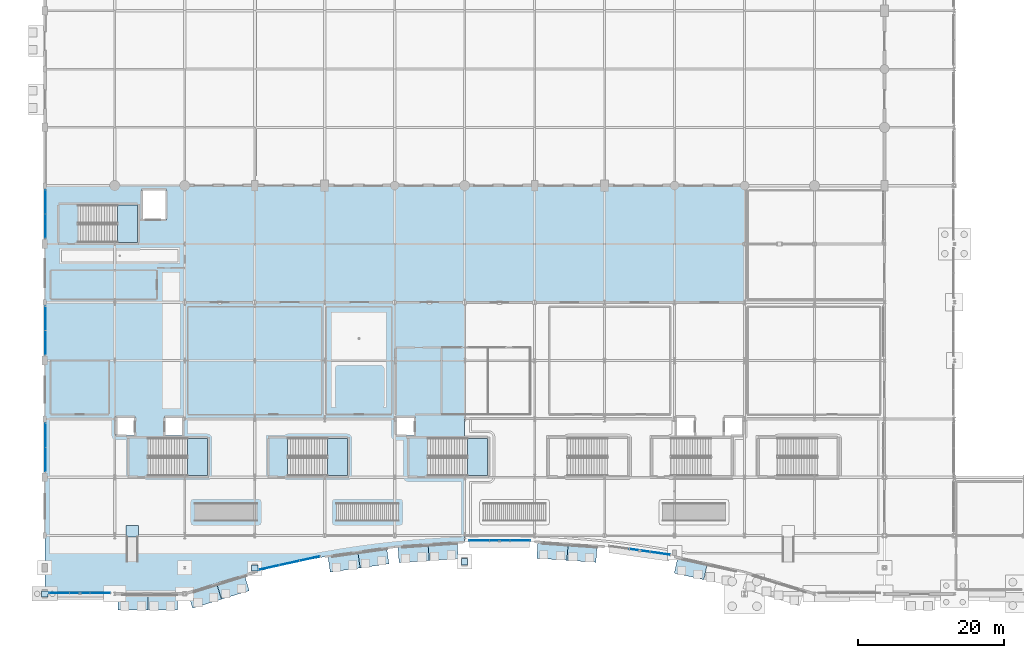
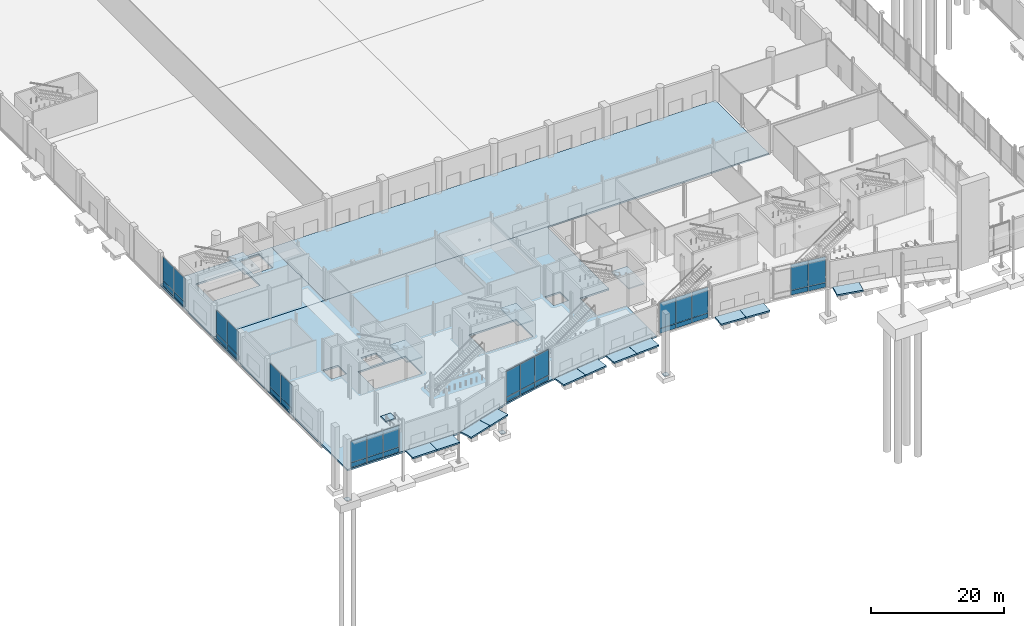
# One storey, part 66 of 124: 37 plates, 19 slabs, 11 elements without a shape of their own.
"""IFC4 building model written with IfcOpenShell, lengths in metres."""

from ifc_helpers import new_model, si_unit, direction, frame, origin, origin_2d, place, context, subcontext, project, spatial, polyline, rectangle, outline, extrude, material, layer, layer_set, type_object, element, aggregate, save


model = new_model("IFC4")

# Units and contexts
model_context = context("Model", 3, precision=1e-05, world=origin(), true_north=direction((0.0, 1.0)))
body_context = subcontext(model_context, "Body", "Model", "MODEL_VIEW")
ifc_project = project(units=[si_unit("LENGTHUNIT", "METRE"), si_unit("AREAUNIT", "SQUARE_METRE"), si_unit("VOLUMEUNIT", "CUBIC_METRE"), si_unit("PLANEANGLEUNIT", "RADIAN"), si_unit("MASSUNIT", "GRAM", prefix="KILO")], contexts=[model_context])

# Site, building, storey
site_placement = place(None, origin())
site = spatial("IfcSite", under=ifc_project, at=site_placement, CompositionType="ELEMENT")
building_placement = place(site_placement, origin())
building = spatial("IfcBuilding", under=site, at=building_placement, Name="Danafjord Basin Convention Centre", CompositionType="ELEMENT")
storey_placement = place(building_placement, origin())
storey = spatial("IfcBuildingStorey", under=building, at=storey_placement, Name="L00", CompositionType="ELEMENT", Elevation=0.0)

# Plates
ifc_material_1 = material(Name="Steel S355", Category="steel")
ifc_layer_1 = layer(ifc_material_1, 0.0400390625)
ifc_layer_set_1 = layer_set([ifc_layer_1], Name="Steel S355")
plate_type_1 = type_object("IfcPlateType", Name="PLT-BP-40", PredefinedType="SHEET", material=ifc_layer_set_1)
for number, where, z_axis, x_axis, name in (
    (1, (0.0, 0.0, -5.39990234375), (0.0, 0.0, 1.0), (1.0, 0.0, 0.0), "L00 column baseplate BP-40 at (0.0, 0.0)"),
    (2, (28.800048828125, 3.530029296875, -5.39990234375), (0.0, 0.0, 1.0), (1.0, 0.0, 0.0), "L00 column baseplate BP-40 at (28.8, 3.5)"),
    (3, (57.60009765625, 4.39990234375, -5.39990234375), (0.0, 0.0, 1.0), (1.0, 0.0, 0.0), "L00 column baseplate BP-40 at (57.6, 4.4)"),
):
    element("IfcPlate", number, at=place(storey_placement, frame(where, z_axis=z_axis, x_axis=x_axis)), inside=storey, type_object=plate_type_1, Name=name, PredefinedType="SHEET", context=body_context, shape_type="SweptSolid", body=[
        extrude(rectangle(XDim=0.85009765625, YDim=0.85009765625, at=origin_2d()), origin(), (0.0, 0.0, 1.0), 0.0400390625),
    ])

# Curtain wall, plates
ifc_material_2 = material(Name="Anodised aluminium and triple glazing", Category="aluminium")
curtain_wall_type_1 = type_object("IfcCurtainWallType", Name="CW-CW-HARB", PredefinedType="NOTDEFINED", material=ifc_material_2)
curtain_wall_1_placement = place(storey_placement, origin())
curtain_wall_1 = element("IfcCurtainWall", 4, at=curtain_wall_1_placement, inside=storey, type_object=curtain_wall_type_1, Name="L00 CW-HARB unitised curtain wall bay 12", PredefinedType="NOTDEFINED")
ifc_material_3 = material(Name="Triple low-E insulated glazing", Category="glass")
ifc_layer_2 = layer(ifc_material_3, 0.0380859375)
ifc_layer_set_2 = layer_set([ifc_layer_2], Name="Triple low-E insulated glazing")
plate_type_2 = type_object("IfcPlateType", Name="PLT-GP-38", PredefinedType="CURTAIN_PANEL", material=ifc_layer_set_2)
plate_1_placement = place(storey_placement, frame((30.748291015625, 3.611572265625, 0.97802734375), z_axis=(0.0, 0.0, 1.0), x_axis=(0.976623114167, 0.214958816695, 0.0)))
plate_1 = element("IfcPlate", 5, at=plate_1_placement, type_object=plate_type_2, Name="CW-L00-012 vision glazing unit 1", PredefinedType="CURTAIN_PANEL", context=body_context, shape_type="SweptSolid", body=[
    extrude(rectangle(XDim=2.820556640625, YDim=0.0380859375, at=origin_2d()), origin(), (0.0, 0.0, 1.0), 4.7041015625),
])
plate_2_placement = place(storey_placement, frame((33.5576171875, 4.229736328125, 0.97802734375), z_axis=(0.0, 0.0, 1.0), x_axis=(0.976623114167, 0.214958816695, 0.0)))
plate_2 = element("IfcPlate", 6, at=plate_2_placement, type_object=plate_type_2, Name="CW-L00-012 vision glazing unit 2", PredefinedType="CURTAIN_PANEL", context=body_context, shape_type="SweptSolid", body=[
    extrude(rectangle(XDim=2.820556640625, YDim=0.0380859375, at=origin_2d()), origin(), (0.0, 0.0, 1.0), 4.7041015625),
])
plate_3_placement = place(storey_placement, frame((36.366943359375, 4.84814453125, 0.97802734375), z_axis=(0.0, 0.0, 1.0), x_axis=(0.976623114167, 0.214958816695, 0.0)))
plate_3 = element("IfcPlate", 7, at=plate_3_placement, type_object=plate_type_2, Name="CW-L00-012 vision glazing unit 3", PredefinedType="CURTAIN_PANEL", context=body_context, shape_type="SweptSolid", body=[
    extrude(rectangle(XDim=2.820556640625, YDim=0.0380859375, at=origin_2d()), origin(), (0.0, 0.0, 1.0), 4.7041015625),
])

curtain_wall_2_placement = place(storey_placement, origin())
curtain_wall_2 = element("IfcCurtainWall", 8, at=curtain_wall_2_placement, inside=storey, type_object=curtain_wall_type_1, Name="L00 CW-HARB unitised curtain wall bay 14", PredefinedType="NOTDEFINED")
plate_4_placement = place(storey_placement, frame((81.62646484375, 5.958984375, 0.97802734375), z_axis=(0.0, 0.0, 1.0), x_axis=(0.990128157327, -0.140165017276, 0.0)))
plate_4 = element("IfcPlate", 9, at=plate_4_placement, type_object=plate_type_2, Name="CW-L00-014 vision glazing unit 2", PredefinedType="CURTAIN_PANEL", context=body_context, shape_type="SweptSolid", body=[
    extrude(rectangle(XDim=2.77587890625, YDim=0.0380859375, at=origin_2d()), origin(), (0.0, 0.0, 1.0), 4.7041015625),
])
plate_5_placement = place(storey_placement, frame((84.430419921875, 5.56201171875, 0.97802734375), z_axis=(0.0, 0.0, 1.0), x_axis=(0.990128157327, -0.140165017276, 0.0)))
plate_5 = element("IfcPlate", 10, at=plate_5_placement, type_object=plate_type_2, Name="CW-L00-014 vision glazing unit 3", PredefinedType="CURTAIN_PANEL", context=body_context, shape_type="SweptSolid", body=[
    extrude(rectangle(XDim=2.77587890625, YDim=0.0380859375, at=origin_2d()), origin(), (0.0, 0.0, 1.0), 4.7041015625),
])

curtain_wall_type_2 = type_object("IfcCurtainWallType", Name="CW-CW-TERR", PredefinedType="NOTDEFINED", material=ifc_material_2)
curtain_wall_3_placement = place(storey_placement, origin())
curtain_wall_3 = element("IfcCurtainWall", 11, at=curtain_wall_3_placement, inside=storey, type_object=curtain_wall_type_2, Name="L00 CW-TERR unitised curtain wall bay 42", PredefinedType="NOTDEFINED")
plate_6_placement = place(storey_placement, frame((0.1201171875, 37.75, 0.97802734375), z_axis=(0.0, 0.0, 1.0), x_axis=(0.0, -1.0, 0.0)))
plate_6 = element("IfcPlate", 12, at=plate_6_placement, type_object=plate_type_2, Name="CW-L00-042 vision glazing unit 1", PredefinedType="CURTAIN_PANEL", context=body_context, shape_type="SweptSolid", body=[
    extrude(rectangle(XDim=3.243896484375, YDim=0.0380859375, at=origin_2d()), origin(), (0.0, 0.0, 1.0), 4.283935546875),
])
plate_7_placement = place(storey_placement, frame((0.1201171875, 34.449951171875, 0.97802734375), z_axis=(0.0, 0.0, 1.0), x_axis=(0.0, -1.0, 0.0)))
plate_7 = element("IfcPlate", 13, at=plate_7_placement, type_object=plate_type_2, Name="CW-L00-042 vision glazing unit 2", PredefinedType="CURTAIN_PANEL", context=body_context, shape_type="SweptSolid", body=[
    extrude(rectangle(XDim=3.243896484375, YDim=0.0380859375, at=origin_2d()), origin(), (0.0, 0.0, 1.0), 4.283935546875),
])

curtain_wall_4_placement = place(storey_placement, origin())
curtain_wall_4 = element("IfcCurtainWall", 14, at=curtain_wall_4_placement, inside=storey, type_object=curtain_wall_type_1, Name="L00 CW-HARB unitised curtain wall bay 11", PredefinedType="NOTDEFINED")
ifc_layer_3 = layer(ifc_material_3, 0.048095703125)
ifc_layer_set_3 = layer_set([ifc_layer_3], Name="Triple low-E insulated glazing")
plate_type_3 = type_object("IfcPlateType", Name="PLT-GP-48", PredefinedType="CURTAIN_PANEL", material=ifc_layer_set_3)
plate_8_placement = place(storey_placement, frame((2.0, 0.1201171875, 0.97802734375), z_axis=(0.0, 0.0, 1.0), x_axis=(1.0, 0.0, 0.0)))
plate_8 = element("IfcPlate", 15, at=plate_8_placement, type_object=plate_type_3, Name="CW-L00-011 vision glazing unit 1", PredefinedType="CURTAIN_PANEL", context=body_context, shape_type="SweptSolid", body=[
    extrude(rectangle(XDim=2.743896484375, YDim=0.048095703125, at=origin_2d()), origin(), (0.0, 0.0, 1.0), 3.884033203125),
])
plate_9_placement = place(storey_placement, frame((4.800048828125, 0.1201171875, 0.97802734375), z_axis=(0.0, 0.0, 1.0), x_axis=(1.0, 0.0, 0.0)))
plate_9 = element("IfcPlate", 16, at=plate_9_placement, type_object=plate_type_3, Name="CW-L00-011 vision glazing unit 2", PredefinedType="CURTAIN_PANEL", context=body_context, shape_type="SweptSolid", body=[
    extrude(rectangle(XDim=2.743896484375, YDim=0.048095703125, at=origin_2d()), origin(), (0.0, 0.0, 1.0), 3.884033203125),
])
plate_10_placement = place(storey_placement, frame((7.60009765625, 0.1201171875, 0.97802734375), z_axis=(0.0, 0.0, 1.0), x_axis=(1.0, 0.0, 0.0)))
plate_10 = element("IfcPlate", 17, at=plate_10_placement, type_object=plate_type_3, Name="CW-L00-011 vision glazing unit 3", PredefinedType="CURTAIN_PANEL", context=body_context, shape_type="SweptSolid", body=[
    extrude(rectangle(XDim=2.743896484375, YDim=0.048095703125, at=origin_2d()), origin(), (0.0, 0.0, 1.0), 3.884033203125),
])

curtain_wall_5_placement = place(storey_placement, origin())
curtain_wall_5 = element("IfcCurtainWall", 18, at=curtain_wall_5_placement, inside=storey, type_object=curtain_wall_type_1, Name="L00 CW-HARB unitised curtain wall bay 13", PredefinedType="NOTDEFINED")
plate_11_placement = place(storey_placement, frame((59.60009765625, 7.300048828125, 0.97802734375), z_axis=(0.0, 0.0, 1.0), x_axis=(1.0, 0.0, 0.0)))
plate_11 = element("IfcPlate", 19, at=plate_11_placement, type_object=plate_type_3, Name="CW-L00-013 vision glazing unit 1", PredefinedType="CURTAIN_PANEL", context=body_context, shape_type="SweptSolid", body=[
    extrude(rectangle(XDim=2.743896484375, YDim=0.048095703125, at=origin_2d()), origin(), (0.0, 0.0, 1.0), 4.7041015625),
])
plate_12_placement = place(storey_placement, frame((62.39990234375, 7.300048828125, 0.97802734375), z_axis=(0.0, 0.0, 1.0), x_axis=(1.0, 0.0, 0.0)))
plate_12 = element("IfcPlate", 20, at=plate_12_placement, type_object=plate_type_3, Name="CW-L00-013 vision glazing unit 2", PredefinedType="CURTAIN_PANEL", context=body_context, shape_type="SweptSolid", body=[
    extrude(rectangle(XDim=2.743896484375, YDim=0.048095703125, at=origin_2d()), origin(), (0.0, 0.0, 1.0), 4.7041015625),
])
plate_13_placement = place(storey_placement, frame((65.199951171875, 7.300048828125, 0.97802734375), z_axis=(0.0, 0.0, 1.0), x_axis=(1.0, 0.0, 0.0)))
plate_13 = element("IfcPlate", 21, at=plate_13_placement, type_object=plate_type_3, Name="CW-L00-013 vision glazing unit 3", PredefinedType="CURTAIN_PANEL", context=body_context, shape_type="SweptSolid", body=[
    extrude(rectangle(XDim=2.743896484375, YDim=0.048095703125, at=origin_2d()), origin(), (0.0, 0.0, 1.0), 4.7041015625),
])

curtain_wall_6_placement = place(storey_placement, origin())
curtain_wall_6 = element("IfcCurtainWall", 22, at=curtain_wall_6_placement, inside=storey, type_object=curtain_wall_type_2, Name="L00 CW-TERR unitised curtain wall bay 41", PredefinedType="NOTDEFINED")
plate_14_placement = place(storey_placement, frame((0.1201171875, 21.75, 0.97802734375), z_axis=(0.0, 0.0, 1.0), x_axis=(0.0, -1.0, 0.0)))
plate_14 = element("IfcPlate", 23, at=plate_14_placement, type_object=plate_type_3, Name="CW-L00-041 vision glazing unit 1", PredefinedType="CURTAIN_PANEL", context=body_context, shape_type="SweptSolid", body=[
    extrude(rectangle(XDim=3.243896484375, YDim=0.048095703125, at=origin_2d()), origin(), (0.0, 0.0, 1.0), 4.283935546875),
])
plate_15_placement = place(storey_placement, frame((0.1201171875, 18.449951171875, 0.97802734375), z_axis=(0.0, 0.0, 1.0), x_axis=(0.0, -1.0, 0.0)))
plate_15 = element("IfcPlate", 24, at=plate_15_placement, type_object=plate_type_3, Name="CW-L00-041 vision glazing unit 2", PredefinedType="CURTAIN_PANEL", context=body_context, shape_type="SweptSolid", body=[
    extrude(rectangle(XDim=3.243896484375, YDim=0.048095703125, at=origin_2d()), origin(), (0.0, 0.0, 1.0), 4.283935546875),
])

curtain_wall_7_placement = place(storey_placement, origin())
curtain_wall_7 = element("IfcCurtainWall", 25, at=curtain_wall_7_placement, inside=storey, type_object=curtain_wall_type_2, Name="L00 CW-TERR unitised curtain wall bay 43", PredefinedType="NOTDEFINED")
plate_16_placement = place(storey_placement, frame((0.1201171875, 53.75, 0.97802734375), z_axis=(0.0, 0.0, 1.0), x_axis=(0.0, -1.0, 0.0)))
plate_16 = element("IfcPlate", 26, at=plate_16_placement, type_object=plate_type_3, Name="CW-L00-043 vision glazing unit 1", PredefinedType="CURTAIN_PANEL", context=body_context, shape_type="SweptSolid", body=[
    extrude(rectangle(XDim=3.243896484375, YDim=0.048095703125, at=origin_2d()), origin(), (0.0, 0.0, 1.0), 4.283935546875),
])
plate_17_placement = place(storey_placement, frame((0.1201171875, 50.449951171875, 0.97802734375), z_axis=(0.0, 0.0, 1.0), x_axis=(0.0, -1.0, 0.0)))
plate_17 = element("IfcPlate", 27, at=plate_17_placement, type_object=plate_type_3, Name="CW-L00-043 vision glazing unit 2", PredefinedType="CURTAIN_PANEL", context=body_context, shape_type="SweptSolid", body=[
    extrude(rectangle(XDim=3.243896484375, YDim=0.048095703125, at=origin_2d()), origin(), (0.0, 0.0, 1.0), 4.283935546875),
])

# Plate
ifc_material_4 = material(Name="Insulated aluminium spandrel cassette", Category="aluminium")
ifc_layer_4 = layer(ifc_material_4, 0.070068359375)
ifc_layer_set_4 = layer_set([ifc_layer_4], Name="Insulated aluminium spandrel cassette")
plate_type_4 = type_object("IfcPlateType", Name="PLT-SPN-70", PredefinedType="CURTAIN_PANEL", material=ifc_layer_set_4)
plate_18_placement = place(storey_placement, frame((30.748291015625, 3.611572265625, 0.087890625), z_axis=(0.0, 0.0, 1.0), x_axis=(0.976623114167, 0.214958816695, 0.0)))
plate_18 = element("IfcPlate", 28, at=plate_18_placement, type_object=plate_type_4, Name="CW-L00-012 spandrel cassette 1", PredefinedType="CURTAIN_PANEL", context=body_context, shape_type="SweptSolid", body=[
    extrude(rectangle(XDim=2.820556640625, YDim=0.070068359375, at=origin_2d()), origin(), (0.0, 0.0, 1.0), 0.833984375),
])

plate_19_placement = place(storey_placement, frame((33.5576171875, 4.229736328125, 0.087890625), z_axis=(0.0, 0.0, 1.0), x_axis=(0.976623114167, 0.214958816695, 0.0)))
plate_19 = element("IfcPlate", 29, at=plate_19_placement, type_object=plate_type_4, Name="CW-L00-012 spandrel cassette 2", PredefinedType="CURTAIN_PANEL", context=body_context, shape_type="SweptSolid", body=[
    extrude(rectangle(XDim=2.820556640625, YDim=0.070068359375, at=origin_2d()), origin(), (0.0, 0.0, 1.0), 0.833984375),
])

plate_20_placement = place(storey_placement, frame((36.366943359375, 4.84814453125, 0.087890625), z_axis=(0.0, 0.0, 1.0), x_axis=(0.976623114167, 0.214958816695, 0.0)))
plate_20 = element("IfcPlate", 30, at=plate_20_placement, type_object=plate_type_4, Name="CW-L00-012 spandrel cassette 3", PredefinedType="CURTAIN_PANEL", context=body_context, shape_type="SweptSolid", body=[
    extrude(rectangle(XDim=2.820556640625, YDim=0.070068359375, at=origin_2d()), origin(), (0.0, 0.0, 1.0), 0.833984375),
])

aggregate(curtain_wall_1, [plate_18, plate_1, plate_19, plate_2, plate_20, plate_3])

plate_21_placement = place(storey_placement, frame((81.62646484375, 5.958984375, 0.087890625), z_axis=(0.0, 0.0, 1.0), x_axis=(0.990128157327, -0.140165017276, 0.0)))
plate_21 = element("IfcPlate", 31, at=plate_21_placement, type_object=plate_type_4, Name="CW-L00-014 spandrel cassette 2", PredefinedType="CURTAIN_PANEL", context=body_context, shape_type="SweptSolid", body=[
    extrude(rectangle(XDim=2.77587890625, YDim=0.070068359375, at=origin_2d()), origin(), (0.0, 0.0, 1.0), 0.833984375),
])

plate_22_placement = place(storey_placement, frame((84.430419921875, 5.56201171875, 0.087890625), z_axis=(0.0, 0.0, 1.0), x_axis=(0.990128157327, -0.140165017276, 0.0)))
plate_22 = element("IfcPlate", 32, at=plate_22_placement, type_object=plate_type_4, Name="CW-L00-014 spandrel cassette 3", PredefinedType="CURTAIN_PANEL", context=body_context, shape_type="SweptSolid", body=[
    extrude(rectangle(XDim=2.77587890625, YDim=0.070068359375, at=origin_2d()), origin(), (0.0, 0.0, 1.0), 0.833984375),
])

aggregate(curtain_wall_2, [plate_21, plate_4, plate_22, plate_5])

plate_23_placement = place(storey_placement, frame((0.1201171875, 37.75, 0.087890625), z_axis=(0.0, 0.0, 1.0), x_axis=(0.0, -1.0, 0.0)))
plate_23 = element("IfcPlate", 33, at=plate_23_placement, type_object=plate_type_4, Name="CW-L00-042 spandrel cassette 1", PredefinedType="CURTAIN_PANEL", context=body_context, shape_type="SweptSolid", body=[
    extrude(rectangle(XDim=3.243896484375, YDim=0.070068359375, at=origin_2d()), origin(), (0.0, 0.0, 1.0), 0.833984375),
])

plate_24_placement = place(storey_placement, frame((0.1201171875, 34.449951171875, 0.087890625), z_axis=(0.0, 0.0, 1.0), x_axis=(0.0, -1.0, 0.0)))
plate_24 = element("IfcPlate", 34, at=plate_24_placement, type_object=plate_type_4, Name="CW-L00-042 spandrel cassette 2", PredefinedType="CURTAIN_PANEL", context=body_context, shape_type="SweptSolid", body=[
    extrude(rectangle(XDim=3.243896484375, YDim=0.070068359375, at=origin_2d()), origin(), (0.0, 0.0, 1.0), 0.833984375),
])

aggregate(curtain_wall_3, [plate_23, plate_6, plate_24, plate_7])

ifc_layer_5 = layer(ifc_material_4, 0.090087890625)
ifc_layer_set_5 = layer_set([ifc_layer_5], Name="Insulated aluminium spandrel cassette")
plate_type_5 = type_object("IfcPlateType", Name="PLT-SPN-90", PredefinedType="CURTAIN_PANEL", material=ifc_layer_set_5)
plate_25_placement = place(storey_placement, frame((2.0, 0.1201171875, 0.087890625), z_axis=(0.0, 0.0, 1.0), x_axis=(1.0, 0.0, 0.0)))
plate_25 = element("IfcPlate", 35, at=plate_25_placement, type_object=plate_type_5, Name="CW-L00-011 spandrel cassette 1", PredefinedType="CURTAIN_PANEL", context=body_context, shape_type="SweptSolid", body=[
    extrude(rectangle(XDim=2.743896484375, YDim=0.090087890625, at=origin_2d()), origin(), (0.0, 0.0, 1.0), 0.833984375),
])

plate_26_placement = place(storey_placement, frame((4.800048828125, 0.1201171875, 0.087890625), z_axis=(0.0, 0.0, 1.0), x_axis=(1.0, 0.0, 0.0)))
plate_26 = element("IfcPlate", 36, at=plate_26_placement, type_object=plate_type_5, Name="CW-L00-011 spandrel cassette 2", PredefinedType="CURTAIN_PANEL", context=body_context, shape_type="SweptSolid", body=[
    extrude(rectangle(XDim=2.743896484375, YDim=0.090087890625, at=origin_2d()), origin(), (0.0, 0.0, 1.0), 0.833984375),
])

plate_27_placement = place(storey_placement, frame((7.60009765625, 0.1201171875, 0.087890625), z_axis=(0.0, 0.0, 1.0), x_axis=(1.0, 0.0, 0.0)))
plate_27 = element("IfcPlate", 37, at=plate_27_placement, type_object=plate_type_5, Name="CW-L00-011 spandrel cassette 3", PredefinedType="CURTAIN_PANEL", context=body_context, shape_type="SweptSolid", body=[
    extrude(rectangle(XDim=2.743896484375, YDim=0.090087890625, at=origin_2d()), origin(), (0.0, 0.0, 1.0), 0.833984375),
])

aggregate(curtain_wall_4, [plate_25, plate_8, plate_26, plate_9, plate_27, plate_10])

plate_28_placement = place(storey_placement, frame((59.60009765625, 7.300048828125, 0.087890625), z_axis=(0.0, 0.0, 1.0), x_axis=(1.0, 0.0, 0.0)))
plate_28 = element("IfcPlate", 38, at=plate_28_placement, type_object=plate_type_5, Name="CW-L00-013 spandrel cassette 1", PredefinedType="CURTAIN_PANEL", context=body_context, shape_type="SweptSolid", body=[
    extrude(rectangle(XDim=2.743896484375, YDim=0.090087890625, at=origin_2d()), origin(), (0.0, 0.0, 1.0), 0.833984375),
])

plate_29_placement = place(storey_placement, frame((62.39990234375, 7.300048828125, 0.087890625), z_axis=(0.0, 0.0, 1.0), x_axis=(1.0, 0.0, 0.0)))
plate_29 = element("IfcPlate", 39, at=plate_29_placement, type_object=plate_type_5, Name="CW-L00-013 spandrel cassette 2", PredefinedType="CURTAIN_PANEL", context=body_context, shape_type="SweptSolid", body=[
    extrude(rectangle(XDim=2.743896484375, YDim=0.090087890625, at=origin_2d()), origin(), (0.0, 0.0, 1.0), 0.833984375),
])

plate_30_placement = place(storey_placement, frame((65.199951171875, 7.300048828125, 0.087890625), z_axis=(0.0, 0.0, 1.0), x_axis=(1.0, 0.0, 0.0)))
plate_30 = element("IfcPlate", 40, at=plate_30_placement, type_object=plate_type_5, Name="CW-L00-013 spandrel cassette 3", PredefinedType="CURTAIN_PANEL", context=body_context, shape_type="SweptSolid", body=[
    extrude(rectangle(XDim=2.743896484375, YDim=0.090087890625, at=origin_2d()), origin(), (0.0, 0.0, 1.0), 0.833984375),
])

aggregate(curtain_wall_5, [plate_28, plate_11, plate_29, plate_12, plate_30, plate_13])

plate_31_placement = place(storey_placement, frame((0.1201171875, 21.75, 0.087890625), z_axis=(0.0, 0.0, 1.0), x_axis=(0.0, -1.0, 0.0)))
plate_31 = element("IfcPlate", 41, at=plate_31_placement, type_object=plate_type_5, Name="CW-L00-041 spandrel cassette 1", PredefinedType="CURTAIN_PANEL", context=body_context, shape_type="SweptSolid", body=[
    extrude(rectangle(XDim=3.243896484375, YDim=0.090087890625, at=origin_2d()), origin(), (0.0, 0.0, 1.0), 0.833984375),
])

plate_32_placement = place(storey_placement, frame((0.1201171875, 18.449951171875, 0.087890625), z_axis=(0.0, 0.0, 1.0), x_axis=(0.0, -1.0, 0.0)))
plate_32 = element("IfcPlate", 42, at=plate_32_placement, type_object=plate_type_5, Name="CW-L00-041 spandrel cassette 2", PredefinedType="CURTAIN_PANEL", context=body_context, shape_type="SweptSolid", body=[
    extrude(rectangle(XDim=3.243896484375, YDim=0.090087890625, at=origin_2d()), origin(), (0.0, 0.0, 1.0), 0.833984375),
])

aggregate(curtain_wall_6, [plate_31, plate_14, plate_32, plate_15])

plate_33_placement = place(storey_placement, frame((0.1201171875, 53.75, 0.087890625), z_axis=(0.0, 0.0, 1.0), x_axis=(0.0, -1.0, 0.0)))
plate_33 = element("IfcPlate", 43, at=plate_33_placement, type_object=plate_type_5, Name="CW-L00-043 spandrel cassette 1", PredefinedType="CURTAIN_PANEL", context=body_context, shape_type="SweptSolid", body=[
    extrude(rectangle(XDim=3.243896484375, YDim=0.090087890625, at=origin_2d()), origin(), (0.0, 0.0, 1.0), 0.833984375),
])

plate_34_placement = place(storey_placement, frame((0.1201171875, 50.449951171875, 0.087890625), z_axis=(0.0, 0.0, 1.0), x_axis=(0.0, -1.0, 0.0)))
plate_34 = element("IfcPlate", 44, at=plate_34_placement, type_object=plate_type_5, Name="CW-L00-043 spandrel cassette 2", PredefinedType="CURTAIN_PANEL", context=body_context, shape_type="SweptSolid", body=[
    extrude(rectangle(XDim=3.243896484375, YDim=0.090087890625, at=origin_2d()), origin(), (0.0, 0.0, 1.0), 0.833984375),
])

aggregate(curtain_wall_7, [plate_33, plate_16, plate_34, plate_17])

# Slabs
ifc_material_5 = material(Name="Concrete C40/50", Category="concrete")
ifc_layer_6 = layer(ifc_material_5, 0.280029296875)
ifc_layer_set_6 = layer_set([ifc_layer_6], Name="Concrete C40/50")
slab_type_1 = type_object("IfcSlabType", Name="SLAB-EXT-280", PredefinedType="FLOOR", material=ifc_layer_set_6)
slab_1_placement = place(storey_placement, frame((0.0, 0.0, -0.280029296875)))
element("IfcSlab", 45, at=slab_1_placement, inside=storey, type_object=slab_type_1, Name="L00 exterior courtyard apron slab SL-L00-CRTW", PredefinedType="FLOOR", context=body_context, shape_type="SweptSolid", body=[
    extrude(outline(polyline([(19.199951171875, 40.0), (19.199951171875, 56.0), (96.0, 56.0), (96.0, 40.0), (19.199951171875, 40.0)])), origin(), (0.0, 0.0, 1.0), 0.280029296875),
])
slab_2_placement = place(storey_placement, frame((0.0, 0.0, -0.280029296875)))
element("IfcSlab", 46, at=slab_2_placement, inside=storey, type_object=slab_type_1, Name="L00 exterior threshold apron HBEX48", PredefinedType="FLOOR", context=body_context, shape_type="SweptSolid", body=[
    extrude(outline(polyline([(14.18994140625, -2.199951171875), (10.050048828125, -2.199951171875), (10.050048828125, -0.014892578125), (14.18994140625, -0.014892578125), (14.18994140625, -2.199951171875)])), origin(), (0.0, 0.0, 1.0), 0.280029296875),
])
slab_3_placement = place(storey_placement, frame((0.0, 0.0, -0.280029296875)))
element("IfcSlab", 47, at=slab_3_placement, inside=storey, type_object=slab_type_1, Name="L00 exterior threshold apron HBEX49", PredefinedType="FLOOR", context=body_context, shape_type="SweptSolid", body=[
    extrude(outline(polyline([(18.18994140625, -2.199951171875), (14.205078125, -2.199951171875), (14.205078125, -0.014892578125), (18.18994140625, -0.014892578125), (18.18994140625, -2.199951171875)])), origin(), (0.0, 0.0, 1.0), 0.280029296875),
])
slab_4_placement = place(storey_placement, frame((0.0, 0.0, -0.280029296875)))
element("IfcSlab", 48, at=slab_4_placement, inside=storey, type_object=slab_type_1, Name="L00 exterior threshold apron HBEX50", PredefinedType="FLOOR", context=body_context, shape_type="SweptSolid", body=[
    extrude(outline(polyline([(23.583984375, 1.361083984375), (24.236083984375, -0.739990234375), (20.281982421875, -1.968017578125), (19.6298828125, 0.133056640625), (23.583984375, 1.361083984375)])), origin(), (0.0, 0.0, 1.0), 0.280029296875),
])
slab_5_placement = place(storey_placement, frame((0.0, 0.0, -0.280029296875)))
element("IfcSlab", 49, at=slab_5_placement, inside=storey, type_object=slab_type_1, Name="L00 exterior threshold apron HBEX51", PredefinedType="FLOOR", context=body_context, shape_type="SweptSolid", body=[
    extrude(outline(polyline([(27.404052734375, 2.547119140625), (28.055908203125, 0.446044921875), (24.25, -0.736083984375), (24.25, -0.736083984375), (23.597900390625, 1.364990234375), (27.404052734375, 2.547119140625)])), origin(), (0.0, 0.0, 1.0), 0.280029296875),
])
slab_6_placement = place(storey_placement, frame((0.0, 0.0, -0.280029296875)))
element("IfcSlab", 50, at=slab_6_placement, inside=storey, type_object=slab_type_1, Name="L00 exterior threshold apron HBEX52", PredefinedType="FLOOR", context=body_context, shape_type="SweptSolid", body=[
    extrude(outline(polyline([(42.945068359375, 5.736083984375), (43.2529296875, 3.55810546875), (39.154052734375, 2.97802734375), (38.845947265625, 5.154052734375), (38.929931640625, 5.16796875), (42.945068359375, 5.736083984375)])), origin(), (0.0, 0.0, 1.0), 0.280029296875),
])
slab_7_placement = place(storey_placement, frame((0.0, 0.0, -0.280029296875)))
element("IfcSlab", 51, at=slab_7_placement, inside=storey, type_object=slab_type_1, Name="L00 exterior threshold apron HBEX53", PredefinedType="FLOOR", context=body_context, shape_type="SweptSolid", body=[
    extrude(outline(polyline([(46.905029296875, 6.297119140625), (47.212890625, 4.118896484375), (43.26806640625, 3.56103515625), (42.9599609375, 5.738037109375), (42.9599609375, 5.739013671875), (46.905029296875, 6.297119140625)])), origin(), (0.0, 0.0, 1.0), 0.280029296875),
])
slab_8_placement = place(storey_placement, frame((0.0, 0.0, -0.280029296875)))
element("IfcSlab", 52, at=slab_8_placement, inside=storey, type_object=slab_type_1, Name="L00 exterior threshold apron HBEX54", PredefinedType="FLOOR", context=body_context, shape_type="SweptSolid", body=[
    extrude(outline(polyline([(52.5791015625, 6.76904296875), (52.73095703125, 4.573974609375), (48.60107421875, 4.2880859375), (48.448974609375, 6.47998046875), (48.56298828125, 6.490966796875), (52.5791015625, 6.76904296875)])), origin(), (0.0, 0.0, 1.0), 0.280029296875),
])
slab_9_placement = place(storey_placement, frame((0.0, 0.0, -0.280029296875)))
element("IfcSlab", 53, at=slab_9_placement, inside=storey, type_object=slab_type_1, Name="L00 exterior threshold apron HBEX55", PredefinedType="FLOOR", context=body_context, shape_type="SweptSolid", body=[
    extrude(outline(polyline([(56.569091796875, 7.0458984375), (56.720947265625, 4.85107421875), (52.74609375, 4.575927734375), (52.593994140625, 6.77001953125), (52.593994140625, 6.77099609375), (56.569091796875, 7.0458984375)])), origin(), (0.0, 0.0, 1.0), 0.280029296875),
])
slab_10_placement = place(storey_placement, frame((0.0, 0.0, -0.280029296875)))
element("IfcSlab", 54, at=slab_10_placement, inside=storey, type_object=slab_type_1, Name="L00 exterior threshold apron HBEX56", PredefinedType="FLOOR", context=body_context, shape_type="SweptSolid", body=[
    extrude(outline(polyline([(71.779052734375, 6.800048828125), (71.626953125, 4.60498046875), (67.4970703125, 4.89111328125), (67.64892578125, 7.0830078125), (67.75, 7.0791015625), (71.779052734375, 6.800048828125)])), origin(), (0.0, 0.0, 1.0), 0.280029296875),
])
slab_11_placement = place(storey_placement, frame((0.0, 0.0, -0.280029296875)))
element("IfcSlab", 55, at=slab_11_placement, inside=storey, type_object=slab_type_1, Name="L00 exterior threshold apron HBEX57", PredefinedType="FLOOR", context=body_context, shape_type="SweptSolid", body=[
    extrude(outline(polyline([(75.76904296875, 6.52294921875), (75.616943359375, 4.327880859375), (71.64208984375, 4.60302734375), (71.64208984375, 4.60400390625), (71.7939453125, 6.798095703125), (75.76904296875, 6.52294921875)])), origin(), (0.0, 0.0, 1.0), 0.280029296875),
])
slab_12_placement = place(storey_placement, frame((0.0, 0.0, -0.280029296875)))
element("IfcSlab", 56, at=slab_12_placement, inside=storey, type_object=slab_type_1, Name="L00 exterior threshold apron HBEX58", PredefinedType="FLOOR", context=body_context, shape_type="SweptSolid", body=[
    extrude(outline(polyline([(90.883056640625, 4.10595703125), (90.409912109375, 1.95703125), (86.365966796875, 2.846923828125), (86.839111328125, 4.9951171875), (86.875, 4.988037109375), (90.883056640625, 4.10595703125)])), origin(), (0.0, 0.0, 1.0), 0.280029296875),
])
ifc_material_6 = material(Name="Concrete C35/45", Category="concrete")
ifc_layer_7 = layer(ifc_material_6, 0.31005859375)
ifc_layer_set_7 = layer_set([ifc_layer_7], Name="Concrete C35/45")
slab_type_2 = type_object("IfcSlabType", Name="SLAB-FS-310", PredefinedType="FLOOR", material=ifc_layer_set_7)
slab_13_placement = place(storey_placement, frame((0.0, 0.0, -0.31005859375)))
element("IfcSlab", 57, at=slab_13_placement, inside=storey, type_object=slab_type_2, Name="L00 FS-310 slab SL-L00-V4W", PredefinedType="FLOOR", context=body_context, shape_type="SweptSolid", body=[
    extrude(outline(polyline([(57.60009765625, 40.0), (57.60009765625, 21.35009765625), (52.530029296875, 21.35009765625), (52.530029296875, 16.2099609375), (57.60009765625, 16.2099609375), (57.60009765625, 7.116943359375), (55.199951171875, 7.013916015625), (52.800048828125, 6.868896484375), (50.39990234375, 6.681884765625), (48.0, 6.451904296875), (45.60009765625, 6.178955078125), (43.199951171875, 5.862060546875), (40.800048828125, 5.5009765625), (38.39990234375, 5.093017578125), (36.0, 4.638916015625), (33.60009765625, 4.136962890625), (31.199951171875, 3.583984375), (28.800048828125, 2.97998046875), (26.39990234375, 2.322021484375), (24.0, 1.60791015625), (21.60009765625, 0.8349609375), (19.199951171875, 0.0), (0.0, 0.0), (0.0, 40.0), (57.60009765625, 40.0)]), holes=[polyline([(50.800048828125, 24.300048828125), (48.199951171875, 24.300048828125), (48.199951171875, 21.699951171875), (50.800048828125, 21.699951171875), (50.800048828125, 24.300048828125)]), polyline([(33.330078125, 21.35009765625), (33.330078125, 16.2099609375), (41.530029296875, 16.2099609375), (41.530029296875, 21.35009765625), (33.330078125, 21.35009765625)]), polyline([(14.1298828125, 16.2099609375), (22.330078125, 16.2099609375), (22.330078125, 21.35009765625), (14.1298828125, 21.35009765625), (14.1298828125, 16.2099609375)]), polyline([(16.39990234375, 24.300048828125), (16.39990234375, 21.699951171875), (19.0, 21.699951171875), (19.0, 24.300048828125), (16.39990234375, 24.300048828125)]), polyline([(9.800048828125, 24.300048828125), (9.800048828125, 21.699951171875), (12.39990234375, 21.699951171875), (12.39990234375, 24.300048828125), (9.800048828125, 24.300048828125)])]), origin(), (0.0, 0.0, 1.0), 0.31005859375),
])
slab_14_placement = place(storey_placement, frame((0.0, 0.0, -0.31005859375)))
element("IfcSlab", 58, at=slab_14_placement, inside=storey, type_object=slab_type_2, Name="L00 FS-310 slab SL-L00-V4LW", PredefinedType="FLOOR", context=body_context, shape_type="SweptSolid", body=[
    extrude(outline(polyline([(0.0, 56.0), (19.199951171875, 56.0), (19.199951171875, 40.0), (0.0, 40.0), (0.0, 56.0)]), holes=[polyline([(13.300048828125, 51.300048828125), (16.699951171875, 51.300048828125), (16.699951171875, 55.5), (13.300048828125, 55.5), (13.300048828125, 51.300048828125)]), polyline([(4.530029296875, 48.2099609375), (12.72998046875, 48.2099609375), (12.72998046875, 53.35009765625), (4.530029296875, 53.35009765625), (4.530029296875, 48.2099609375)])]), origin(), (0.0, 0.0, 1.0), 0.31005859375),
])

# Stair, slab
stair_type = type_object("IfcStairType", Name="STAIR-STR-C01", PredefinedType="TWO_STRAIGHT_RUN_STAIR", material=ifc_material_5)
stair_1_placement = place(storey_placement, origin())
stair_1 = element("IfcStair", 59, at=stair_1_placement, inside=storey, type_object=stair_type, Name="L00 West Harbour Core Stair 1", PredefinedType="HALF_TURN_STAIR")
ifc_layer_8 = layer(ifc_material_5, 0.199951171875)
ifc_layer_set_8 = layer_set([ifc_layer_8], Name="Concrete C40/50")
slab_type_3 = type_object("IfcSlabType", Name="SLAB-LAND-200", PredefinedType="LANDING", material=ifc_layer_set_8)
slab_15_placement = place(storey_placement, frame((0.0, 0.0, 2.800048828125)))
slab_15 = element("IfcSlab", 60, at=slab_15_placement, type_object=slab_type_3, Name="ST-01 landing 1", PredefinedType="LANDING", context=body_context, shape_type="SweptSolid", body=[
    extrude(outline(polyline([(19.60498046875, 16.2099609375), (22.330078125, 16.2099609375), (22.330078125, 21.35009765625), (19.60498046875, 21.35009765625), (19.60498046875, 16.2099609375)])), origin(), (0.0, 0.0, 1.0), 0.199951171875),
])
aggregate(stair_1, [slab_15])

stair_2_placement = place(storey_placement, origin())
stair_2 = element("IfcStair", 61, at=stair_2_placement, inside=storey, type_object=stair_type, Name="L00 Mid-Arc Meeting Core Stair 1", PredefinedType="HALF_TURN_STAIR")
slab_16_placement = place(storey_placement, frame((0.0, 0.0, 2.800048828125)))
slab_16 = element("IfcSlab", 62, at=slab_16_placement, type_object=slab_type_3, Name="ST-05 landing 1", PredefinedType="LANDING", context=body_context, shape_type="SweptSolid", body=[
    extrude(outline(polyline([(58.0048828125, 16.2099609375), (60.72998046875, 16.2099609375), (60.72998046875, 21.35009765625), (58.0048828125, 21.35009765625), (58.0048828125, 16.2099609375)])), origin(), (0.0, 0.0, 1.0), 0.199951171875),
])
aggregate(stair_2, [slab_16])

stair_3_placement = place(storey_placement, origin())
stair_3 = element("IfcStair", 63, at=stair_3_placement, inside=storey, type_object=stair_type, Name="L00 West Exhibition Core Stair 1", PredefinedType="HALF_TURN_STAIR")
slab_17_placement = place(storey_placement, frame((0.0, 0.0, 2.800048828125)))
slab_17 = element("IfcSlab", 64, at=slab_17_placement, type_object=slab_type_3, Name="ST-07 landing 1", PredefinedType="LANDING", context=body_context, shape_type="SweptSolid", body=[
    extrude(outline(polyline([(10.0048828125, 48.2099609375), (12.72998046875, 48.2099609375), (12.72998046875, 53.35009765625), (10.0048828125, 53.35009765625), (10.0048828125, 48.2099609375)])), origin(), (0.0, 0.0, 1.0), 0.199951171875),
])
aggregate(stair_3, [slab_17])

stair_4_placement = place(storey_placement, origin())
stair_4 = element("IfcStair", 65, at=stair_4_placement, inside=storey, type_object=stair_type, Name="L00 West Harbour Escape Stair 2", PredefinedType="HALF_TURN_STAIR")
slab_18_placement = place(storey_placement, frame((0.0, 0.0, 2.800048828125)))
slab_18 = element("IfcSlab", 66, at=slab_18_placement, type_object=slab_type_3, Name="ST-02 landing 1", PredefinedType="LANDING", context=body_context, shape_type="SweptSolid", body=[
    extrude(outline(polyline([(38.804931640625, 16.2099609375), (41.530029296875, 16.2099609375), (41.530029296875, 21.35009765625), (38.804931640625, 21.35009765625), (38.804931640625, 16.2099609375)])), origin(), (0.0, 0.0, 1.0), 0.199951171875),
])
aggregate(stair_4, [slab_18])

# Slab
slab_19_placement = place(storey_placement, origin())
element("IfcSlab", 67, at=slab_19_placement, inside=storey, type_object=slab_type_3, Name="AR-01 threshold landing", PredefinedType="LANDING", context=body_context, shape_type="SweptSolid", body=[
    extrude(outline(polyline([(11.14990234375, 7.780029296875), (12.85009765625, 7.780029296875), (12.85009765625, 9.35009765625), (11.14990234375, 9.35009765625), (11.14990234375, 7.780029296875)])), origin(), (0.0, 0.0, 1.0), 0.199951171875),
])

save(model, "model.ifc")
